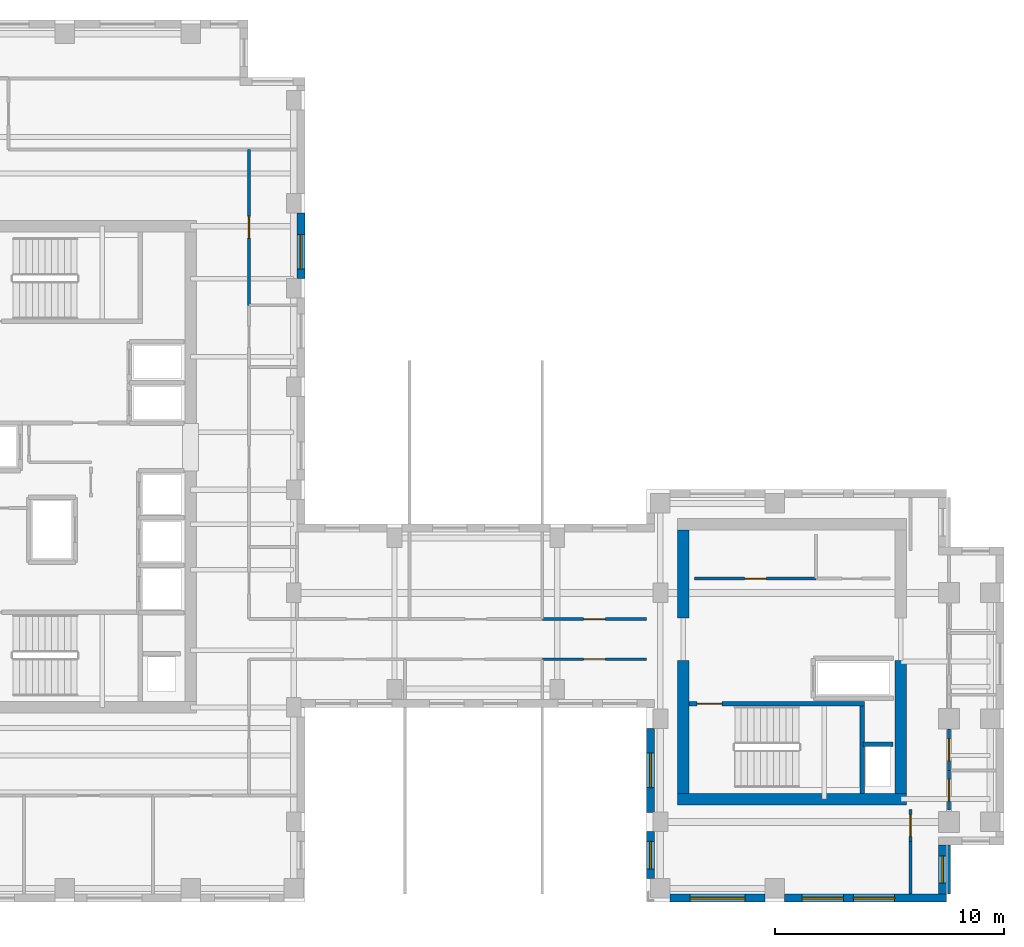
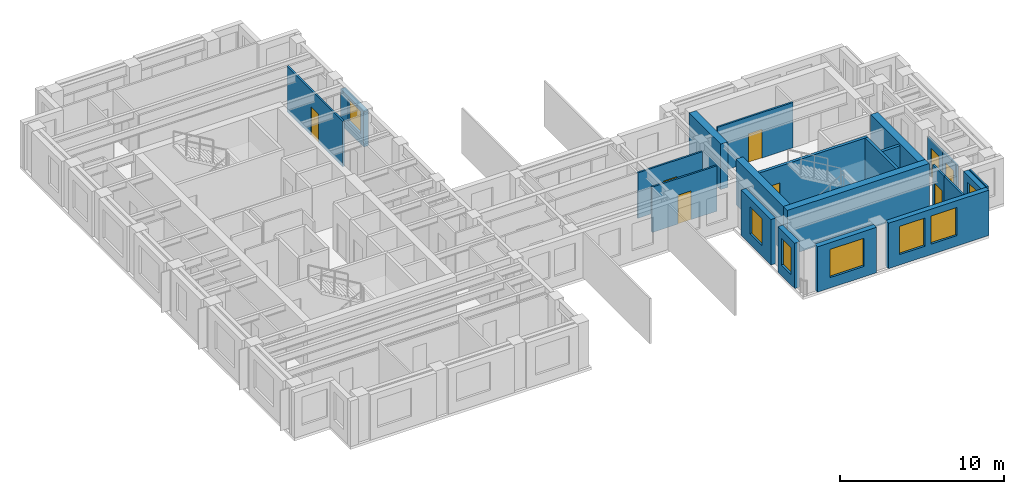
# One storey, part 6 of 10: 22 walls, 8 doors, 7 windows, 15 openings.
"""IFC4 building model written with IfcOpenShell, lengths in metres."""

from ifc_helpers import new_model, si_unit, direction, frame, frame_2d, origin, place, context, subcontext, project, spatial, rectangle, extrude, source, transform, mapped, material, layer, layer_set, type_object, element, fill, save


model = new_model("IFC4")

# Units and contexts
model_context = context("Model", 3, precision=1e-05, world=origin(), true_north=direction((0.0, 1.0)))
body_context = subcontext(model_context, "Body", "Model", "MODEL_VIEW")
ifc_project = project(units=[si_unit("LENGTHUNIT", "METRE"), si_unit("AREAUNIT", "SQUARE_METRE"), si_unit("VOLUMEUNIT", "CUBIC_METRE"), si_unit("PLANEANGLEUNIT", "RADIAN"), si_unit("MASSUNIT", "GRAM", prefix="KILO")], contexts=[model_context])

# Site, building, storey
site_placement = place(None, origin())
site = spatial("IfcSite", under=ifc_project, at=site_placement, CompositionType="ELEMENT")
building_placement = place(site_placement, origin())
building = spatial("IfcBuilding", under=site, at=building_placement, Name="Kharzan Plaza Tower", CompositionType="ELEMENT")
storey_placement = place(building_placement, frame((0.0, 0.0, 230.39990234375)))
storey = spatial("IfcBuildingStorey", under=building, at=storey_placement, Name="L62", CompositionType="ELEMENT", Elevation=230.39990234375)

# Wall, opening, window
ifc_material_1 = material(Name="Concrete C40/50", Category="concrete")
ifc_layer_1 = layer(ifc_material_1, 0.35009765625)
ifc_layer_set_1 = layer_set([ifc_layer_1], Name="Concrete C40/50")
wall_type_1 = type_object("IfcWallType", Name="WL-EXT-MAS-Z4", PredefinedType="SOLIDWALL", material=ifc_layer_set_1)
wall_1_placement = place(storey_placement, frame((19.324951171875, 27.222900390625, 0.0), z_axis=(0.0, 0.0, 1.0), x_axis=(0.0, 1.0, 0.0)))
wall_1 = element("IfcWall", 1, at=wall_1_placement, inside=storey, type_object=wall_type_1, Name="L62 Masonry-Frame Exterior Wall 04", PredefinedType="SOLIDWALL", context=body_context, shape_type="SweptSolid", body=[
    extrude(rectangle(XDim=2.85400390625, YDim=0.35009765625, at=frame_2d((1.427001953125, 0.0))), origin(), (0.0, 0.0, 1.0), 2.619140625),
])
opening_1_placement = place(wall_1_placement, frame((0.411376953125, 0.0, 0.780029296875)))
opening_1 = element("IfcOpeningElement", 2, at=opening_1_placement, cuts=wall_1, Name="Opening W5", PredefinedType="OPENING", context=body_context, shape_type="SweptSolid", body=[
    extrude(rectangle(XDim=1.5, YDim=1.658935546875, at=frame_2d((0.75, 0.82958984375))), frame((0.0, 0.18505859375, 0.0), z_axis=(0.0, -1.0, 0.0), x_axis=(1.0, 0.0, 0.0)), (0.0, 0.0, 1.0), 0.3701171875),
])
ifc_material_2 = material(Name="Low-E Double Glazing", Category="glass")
window_type_1 = type_object("IfcWindowType", Name="WN-SLT-1500x2000", PartitioningType="SINGLE_PANEL", PredefinedType="WINDOW", material=ifc_material_2)
shared_shape_1 = source(origin(), body_context, "Body", "SweptSolid", [
    extrude(rectangle(XDim=1.5, YDim=1.658935546875, at=frame_2d((0.75, 0.82958984375))), frame((0.0, 0.030029296875, 0.0), z_axis=(0.0, -1.0, 0.0), x_axis=(1.0, 0.0, 0.0)), (0.0, 0.0, 1.0), 0.06005859375),
])
window_1_placement = place(opening_1_placement, origin())
window_1 = element("IfcWindow", 3, at=window_1_placement, inside=storey, type_object=window_type_1, Name="L62 Recessed Solar-Control Window 04-1", OverallHeight=1.658935546875, OverallWidth=1.5, PartitioningType="SINGLE_PANEL", PredefinedType="WINDOW", context=body_context, shape_type="MappedRepresentation", body=[
    mapped(shared_shape_1, transform((0.0, 0.0, 0.0), x_axis=(1.0, 0.0, 0.0), y_axis=(0.0, 1.0, 0.0), z_axis=(0.0, 0.0, 1.0))),
])
fill(opening_1, window_1)

wall_2_placement = place(storey_placement, frame((34.574951171875, 7.576904296875, 0.0), z_axis=(0.0, 0.0, 1.0), x_axis=(0.0, -1.0, 0.0)))
wall_2 = element("IfcWall", 4, at=wall_2_placement, inside=storey, type_object=wall_type_1, Name="L62 Masonry-Frame Exterior Wall 33", PredefinedType="SOLIDWALL", context=body_context, shape_type="SweptSolid", body=[
    extrude(rectangle(XDim=3.65380859375, YDim=0.35009765625, at=frame_2d((1.826904296875, 0.0))), origin(), (0.0, 0.0, 1.0), 3.385009765625),
])
opening_2_placement = place(wall_2_placement, frame((1.076904296875, 0.0, 0.780029296875)))
opening_2 = element("IfcOpeningElement", 5, at=opening_2_placement, cuts=wall_2, Name="Opening W5", PredefinedType="OPENING", context=body_context, shape_type="SweptSolid", body=[
    extrude(rectangle(XDim=1.5, YDim=2.0, at=frame_2d((0.75, 1.0))), frame((0.0, 0.18505859375, 0.0), z_axis=(0.0, -1.0, 0.0), x_axis=(1.0, 0.0, 0.0)), (0.0, 0.0, 1.0), 0.3701171875),
])
shared_shape_2 = source(origin(), body_context, "Body", "SweptSolid", [
    extrude(rectangle(XDim=1.5, YDim=2.0, at=frame_2d((0.75, 1.0))), frame((0.0, 0.030029296875, 0.0), z_axis=(0.0, -1.0, 0.0), x_axis=(1.0, 0.0, 0.0)), (0.0, 0.0, 1.0), 0.06005859375),
])
window_2_placement = place(opening_2_placement, origin())
window_2 = element("IfcWindow", 6, at=window_2_placement, inside=storey, type_object=window_type_1, Name="L62 Recessed Solar-Control Window 33-1", OverallHeight=2.0, OverallWidth=1.5, PartitioningType="SINGLE_PANEL", PredefinedType="WINDOW", context=body_context, shape_type="MappedRepresentation", body=[
    mapped(shared_shape_2, transform((0.0, 0.0, 0.0), x_axis=(1.0, 0.0, 0.0), y_axis=(0.0, 1.0, 0.0), z_axis=(0.0, 0.0, 1.0))),
])
fill(opening_2, window_2)

wall_3_placement = place(storey_placement, frame((34.574951171875, 3.076904296875, 0.0), z_axis=(0.0, 0.0, 1.0), x_axis=(0.0, -1.0, 0.0)))
wall_3 = element("IfcWall", 7, at=wall_3_placement, inside=storey, type_object=wall_type_1, Name="L62 Masonry-Frame Exterior Wall 34", PredefinedType="SOLIDWALL", context=body_context, shape_type="SweptSolid", body=[
    extrude(rectangle(XDim=2.053955078125, YDim=0.35009765625, at=frame_2d((1.02685546875, 0.0))), origin(), (0.0, 0.0, 1.0), 3.385009765625),
])
opening_3_placement = place(wall_3_placement, frame((0.427001953125, 0.0, 0.780029296875)))
opening_3 = element("IfcOpeningElement", 8, at=opening_3_placement, cuts=wall_3, Name="Opening W3", PredefinedType="OPENING", context=body_context, shape_type="SweptSolid", body=[
    extrude(rectangle(XDim=1.199951171875, YDim=2.0, at=frame_2d((0.60009765625, 1.0))), frame((0.0, 0.18505859375, 0.0), z_axis=(0.0, -1.0, 0.0), x_axis=(1.0, 0.0, 0.0)), (0.0, 0.0, 1.0), 0.3701171875),
])
window_type_2 = type_object("IfcWindowType", Name="WN-REC-1200x2100", PartitioningType="SINGLE_PANEL", PredefinedType="WINDOW", material=ifc_material_2)
shared_shape_3 = source(origin(), body_context, "Body", "SweptSolid", [
    extrude(rectangle(XDim=1.199951171875, YDim=2.0, at=frame_2d((0.60009765625, 1.0))), frame((0.0, 0.030029296875, 0.0), z_axis=(0.0, -1.0, 0.0), x_axis=(1.0, 0.0, 0.0)), (0.0, 0.0, 1.0), 0.06005859375),
])
window_3_placement = place(opening_3_placement, origin())
window_3 = element("IfcWindow", 9, at=window_3_placement, inside=storey, type_object=window_type_2, Name="L62 Recessed Solar-Control Window 34-1", OverallHeight=2.0, OverallWidth=1.199951171875, PartitioningType="SINGLE_PANEL", PredefinedType="WINDOW", context=body_context, shape_type="MappedRepresentation", body=[
    mapped(shared_shape_3, transform((0.0, 0.0, 0.0), x_axis=(1.0, 0.0, 0.0), y_axis=(0.0, 1.0, 0.0), z_axis=(0.0, 0.0, 1.0))),
])
fill(opening_3, window_3)

wall_4_placement = place(storey_placement, frame((35.423095703125, 0.175048828125, 0.0), z_axis=(0.0, 0.0, 1.0), x_axis=(1.0, 0.0, 0.0)))
wall_4 = element("IfcWall", 10, at=wall_4_placement, inside=storey, type_object=wall_type_1, Name="L62 Masonry-Frame Exterior Wall 35", PredefinedType="SOLIDWALL", context=body_context, shape_type="SweptSolid", body=[
    extrude(rectangle(XDim=4.15380859375, YDim=0.35009765625, at=frame_2d((2.076904296875, 0.0))), origin(), (0.0, 0.0, 1.0), 3.385009765625),
])
opening_4_placement = place(wall_4_placement, frame((0.876953125, 0.0, 0.780029296875)))
opening_4 = element("IfcOpeningElement", 11, at=opening_4_placement, cuts=wall_4, Name="Opening W2", PredefinedType="OPENING", context=body_context, shape_type="SweptSolid", body=[
    extrude(rectangle(XDim=2.39990234375, YDim=2.10009765625, at=frame_2d((1.199951171875, 1.050048828125))), frame((0.0, 0.18505859375, 0.0), z_axis=(0.0, -1.0, 0.0), x_axis=(1.0, 0.0, 0.0)), (0.0, 0.0, 1.0), 0.3701171875),
])
window_type_3 = type_object("IfcWindowType", Name="WN-REC-2400x2100", PartitioningType="SINGLE_PANEL", PredefinedType="WINDOW", material=ifc_material_2)
shared_shape_4 = source(origin(), body_context, "Body", "SweptSolid", [
    extrude(rectangle(XDim=2.39990234375, YDim=2.10009765625, at=frame_2d((1.199951171875, 1.050048828125))), frame((0.0, 0.030029296875, 0.0), z_axis=(0.0, -1.0, 0.0), x_axis=(1.0, 0.0, 0.0)), (0.0, 0.0, 1.0), 0.06005859375),
])
window_4_placement = place(opening_4_placement, origin())
window_4 = element("IfcWindow", 12, at=window_4_placement, inside=storey, type_object=window_type_3, Name="L62 Wide Recessed Solar-Control Window 35-1", OverallHeight=2.10009765625, OverallWidth=2.39990234375, PartitioningType="SINGLE_PANEL", PredefinedType="WINDOW", context=body_context, shape_type="MappedRepresentation", body=[
    mapped(shared_shape_4, transform((0.0, 0.0, 0.0), x_axis=(1.0, 0.0, 0.0), y_axis=(0.0, 1.0, 0.0), z_axis=(0.0, 0.0, 1.0))),
])
fill(opening_4, window_4)

# Wall, openings, windows
wall_5_placement = place(storey_placement, frame((40.423095703125, 0.175048828125, 0.0), z_axis=(0.0, 0.0, 1.0), x_axis=(1.0, 0.0, 0.0)))
wall_5 = element("IfcWall", 13, at=wall_5_placement, inside=storey, type_object=wall_type_1, Name="L62 Masonry-Frame Exterior Wall 36", PredefinedType="SOLIDWALL", context=body_context, shape_type="SweptSolid", body=[
    extrude(rectangle(XDim=7.076904296875, YDim=0.35009765625, at=frame_2d((3.53857421875, 0.0))), origin(), (0.0, 0.0, 1.0), 3.385009765625),
])
opening_5_placement = place(wall_5_placement, frame((0.76220703125, 0.0, 0.780029296875)))
opening_5 = element("IfcOpeningElement", 14, at=opening_5_placement, cuts=wall_5, Name="Opening W1", PredefinedType="OPENING", context=body_context, shape_type="SweptSolid", body=[
    extrude(rectangle(XDim=1.800048828125, YDim=2.10009765625, at=frame_2d((0.89990234375, 1.050048828125))), frame((0.0, 0.18505859375, 0.0), z_axis=(0.0, -1.0, 0.0), x_axis=(1.0, 0.0, 0.0)), (0.0, 0.0, 1.0), 0.3701171875),
])
opening_6_placement = place(wall_5_placement, frame((3.004638671875, 0.0, 0.780029296875)))
opening_6 = element("IfcOpeningElement", 15, at=opening_6_placement, cuts=wall_5, Name="Opening W1", PredefinedType="OPENING", context=body_context, shape_type="SweptSolid", body=[
    extrude(rectangle(XDim=1.800048828125, YDim=2.10009765625, at=frame_2d((0.89990234375, 1.050048828125))), frame((0.0, 0.18505859375, 0.0), z_axis=(0.0, -1.0, 0.0), x_axis=(1.0, 0.0, 0.0)), (0.0, 0.0, 1.0), 0.3701171875),
])
window_type_4 = type_object("IfcWindowType", Name="WN-REC-1800x2100", PartitioningType="SINGLE_PANEL", PredefinedType="WINDOW", material=ifc_material_2)
shared_shape_5 = source(origin(), body_context, "Body", "SweptSolid", [
    extrude(rectangle(XDim=1.800048828125, YDim=2.10009765625, at=frame_2d((0.89990234375, 1.050048828125))), frame((0.0, 0.030029296875, 0.0), z_axis=(0.0, -1.0, 0.0), x_axis=(1.0, 0.0, 0.0)), (0.0, 0.0, 1.0), 0.06005859375),
])
window_5_placement = place(opening_5_placement, origin())
window_5 = element("IfcWindow", 16, at=window_5_placement, inside=storey, type_object=window_type_4, Name="L62 Recessed Solar-Control Window 36-1", OverallHeight=2.10009765625, OverallWidth=1.800048828125, PartitioningType="SINGLE_PANEL", PredefinedType="WINDOW", context=body_context, shape_type="MappedRepresentation", body=[
    mapped(shared_shape_5, transform((0.0, 0.0, 0.0), x_axis=(1.0, 0.0, 0.0), y_axis=(0.0, 1.0, 0.0), z_axis=(0.0, 0.0, 1.0))),
])
fill(opening_5, window_5)
window_6_placement = place(opening_6_placement, origin())
window_6 = element("IfcWindow", 17, at=window_6_placement, inside=storey, type_object=window_type_4, Name="L62 Recessed Solar-Control Window 36-2", OverallHeight=2.10009765625, OverallWidth=1.800048828125, PartitioningType="SINGLE_PANEL", PredefinedType="WINDOW", context=body_context, shape_type="MappedRepresentation", body=[
    mapped(shared_shape_5, transform((0.0, 0.0, 0.0), x_axis=(1.0, 0.0, 0.0), y_axis=(0.0, 1.0, 0.0), z_axis=(0.0, 0.0, 1.0))),
])
fill(opening_6, window_6)

# Wall, opening, window
wall_6_placement = place(storey_placement, frame((47.324951171875, 0.347900390625, 0.0), z_axis=(0.0, 0.0, 1.0), x_axis=(0.0, 1.0, 0.0)))
wall_6 = element("IfcWall", 18, at=wall_6_placement, inside=storey, type_object=wall_type_1, Name="L62 Masonry-Frame Exterior Wall 37", PredefinedType="SOLIDWALL", context=body_context, shape_type="SweptSolid", body=[
    extrude(rectangle(XDim=2.154052734375, YDim=0.35009765625, at=frame_2d((1.0771484375, 0.0))), origin(), (0.0, 0.0, 1.0), 3.385009765625),
])
opening_7_placement = place(wall_6_placement, frame((0.47705078125, 0.0, 0.780029296875)))
opening_7 = element("IfcOpeningElement", 19, at=opening_7_placement, cuts=wall_6, Name="Opening W3", PredefinedType="OPENING", context=body_context, shape_type="SweptSolid", body=[
    extrude(rectangle(XDim=1.199951171875, YDim=2.10009765625, at=frame_2d((0.60009765625, 1.050048828125))), frame((0.0, 0.18505859375, 0.0), z_axis=(0.0, -1.0, 0.0), x_axis=(1.0, 0.0, 0.0)), (0.0, 0.0, 1.0), 0.3701171875),
])
shared_shape_6 = source(origin(), body_context, "Body", "SweptSolid", [
    extrude(rectangle(XDim=1.199951171875, YDim=2.10009765625, at=frame_2d((0.60009765625, 1.050048828125))), frame((0.0, 0.030029296875, 0.0), z_axis=(0.0, -1.0, 0.0), x_axis=(1.0, 0.0, 0.0)), (0.0, 0.0, 1.0), 0.06005859375),
])
window_7_placement = place(opening_7_placement, origin())
window_7 = element("IfcWindow", 20, at=window_7_placement, inside=storey, type_object=window_type_2, Name="L62 Recessed Solar-Control Window 37-1", OverallHeight=2.10009765625, OverallWidth=1.199951171875, PartitioningType="SINGLE_PANEL", PredefinedType="WINDOW", context=body_context, shape_type="MappedRepresentation", body=[
    mapped(shared_shape_6, transform((0.0, 0.0, 0.0), x_axis=(1.0, 0.0, 0.0), y_axis=(0.0, 1.0, 0.0), z_axis=(0.0, 0.0, 1.0))),
])
fill(opening_7, window_7)

# Wall, opening, door
ifc_material_3 = material(Name="Fire-Rated Gypsum Board Partition", Category="gypsum")
ifc_layer_2 = layer(ifc_material_3, 0.125)
ifc_layer_set_2 = layer_set([ifc_layer_2], Name="Fire-Rated Gypsum Board Partition")
wall_type_2 = type_object("IfcWallType", Name="WL-INT-PART-125", PredefinedType="PARTITIONING", material=ifc_layer_set_2)
wall_7_placement = place(storey_placement, frame((36.5, 14.1201171875, 0.0), z_axis=(0.0, 0.0, 1.0), x_axis=(1.0, 0.0, 0.0)))
wall_7 = element("IfcWall", 21, at=wall_7_placement, inside=storey, type_object=wall_type_2, Name="L62 Interior Partition CB-RBLSA", PredefinedType="PARTITIONING", context=body_context, shape_type="SweptSolid", body=[
    extrude(rectangle(XDim=5.300048828125, YDim=0.125, at=frame_2d((2.64990234375, 0.0))), origin(), (0.0, 0.0, 1.0), 3.385009765625),
])
opening_8_placement = place(wall_7_placement, frame((2.175048828125, 0.0, 0.0)))
opening_8 = element("IfcOpeningElement", 22, at=opening_8_placement, cuts=wall_7, Name="Opening OD1", PredefinedType="OPENING", context=body_context, shape_type="SweptSolid", body=[
    extrude(rectangle(XDim=0.949951171875, YDim=2.14990234375, at=frame_2d((0.47509765625, 1.074951171875))), frame((0.0, 0.072509765625, 0.0), z_axis=(0.0, -1.0, 0.0), x_axis=(1.0, 0.0, 0.0)), (0.0, 0.0, 1.0), 0.14501953125),
])
ifc_material_4 = material(Name="Acoustic Solid-Core Stained Oak", Category="timber")
door_type_1 = type_object("IfcDoorType", Name="DR-OFF-SINGLE", OperationType="NOTDEFINED", PredefinedType="DOOR", material=ifc_material_4)
shared_shape_7 = source(origin(), body_context, "Body", "SweptSolid", [
    extrude(rectangle(XDim=0.949951171875, YDim=2.14990234375, at=frame_2d((0.47509765625, 1.074951171875))), frame((0.0, 0.02490234375, 0.0), z_axis=(0.0, -1.0, 0.0), x_axis=(1.0, 0.0, 0.0)), (0.0, 0.0, 1.0), 0.050048828125),
])
door_1_placement = place(opening_8_placement, origin())
door_1 = element("IfcDoor", 23, at=door_1_placement, inside=storey, type_object=door_type_1, Name="L62 Records Room Door", OperationType="SINGLE_SWING_RIGHT", OverallHeight=2.14990234375, OverallWidth=0.949951171875, PredefinedType="DOOR", context=body_context, shape_type="MappedRepresentation", body=[
    mapped(shared_shape_7, transform((0.0, 0.0, 0.0), x_axis=(1.0, 0.0, 0.0), y_axis=(0.0, 1.0, 0.0), z_axis=(0.0, 0.0, 1.0))),
])
fill(opening_8, door_1)

wall_8_placement = place(storey_placement, frame((17.050048828125, 26.050048828125, 0.0), z_axis=(0.0, 0.0, 1.0), x_axis=(0.0, 1.0, 0.0)))
wall_8 = element("IfcWall", 24, at=wall_8_placement, inside=storey, type_object=wall_type_2, Name="L62 Interior Partition SH-AEWN3", PredefinedType="PARTITIONING", context=body_context, shape_type="SweptSolid", body=[
    extrude(rectangle(XDim=6.800048828125, YDim=0.125, at=frame_2d((3.39990234375, 0.0))), origin(), (0.0, 0.0, 1.0), 3.385009765625),
])
opening_9_placement = place(wall_8_placement, frame((2.925048828125, 0.0, 0.0)))
opening_9 = element("IfcOpeningElement", 25, at=opening_9_placement, cuts=wall_8, Name="Opening OD1", PredefinedType="OPENING", context=body_context, shape_type="SweptSolid", body=[
    extrude(rectangle(XDim=0.949951171875, YDim=2.14990234375, at=frame_2d((0.47509765625, 1.074951171875))), frame((0.0, 0.072509765625, 0.0), z_axis=(0.0, -1.0, 0.0), x_axis=(1.0, 0.0, 0.0)), (0.0, 0.0, 1.0), 0.14501953125),
])
door_2_placement = place(opening_9_placement, origin())
door_2 = element("IfcDoor", 26, at=door_2_placement, inside=storey, type_object=door_type_1, Name="L62 Staff Tea Point Door", OperationType="SINGLE_SWING_RIGHT", OverallHeight=2.14990234375, OverallWidth=0.949951171875, PredefinedType="DOOR", context=body_context, shape_type="MappedRepresentation", body=[
    mapped(shared_shape_7, transform((0.0, 0.0, 0.0), x_axis=(1.0, 0.0, 0.0), y_axis=(0.0, 1.0, 0.0), z_axis=(0.0, 0.0, 1.0))),
])
fill(opening_9, door_2)

wall_9_placement = place(storey_placement, frame((47.60009765625, 4.02001953125, 0.0), z_axis=(0.0, 0.0, 1.0), x_axis=(0.0, 1.0, 0.0)))
wall_9 = element("IfcWall", 27, at=wall_9_placement, inside=storey, type_object=wall_type_2, Name="L62 Interior Partition SH-B3W0", PredefinedType="PARTITIONING", context=body_context, shape_type="SweptSolid", body=[
    extrude(rectangle(XDim=1.72998046875, YDim=0.125, at=frame_2d((0.864990234375, 0.0))), origin(), (0.0, 0.0, 1.0), 2.773193359375),
])
opening_10_placement = place(wall_9_placement, frame((0.389892578125, 0.0, 0.0)))
opening_10 = element("IfcOpeningElement", 28, at=opening_10_placement, cuts=wall_9, Name="Opening OD1", PredefinedType="OPENING", context=body_context, shape_type="SweptSolid", body=[
    extrude(rectangle(XDim=0.949951171875, YDim=2.14990234375, at=frame_2d((0.47509765625, 1.074951171875))), frame((0.0, 0.072509765625, 0.0), z_axis=(0.0, -1.0, 0.0), x_axis=(1.0, 0.0, 0.0)), (0.0, 0.0, 1.0), 0.14501953125),
])
door_3_placement = place(opening_10_placement, origin())
door_3 = element("IfcDoor", 29, at=door_3_placement, inside=storey, type_object=door_type_1, Name="L62 Wing B Office 1 Door", OperationType="SINGLE_SWING_RIGHT", OverallHeight=2.14990234375, OverallWidth=0.949951171875, PredefinedType="DOOR", context=body_context, shape_type="MappedRepresentation", body=[
    mapped(shared_shape_7, transform((0.0, 0.0, 0.0), x_axis=(1.0, 0.0, 0.0), y_axis=(0.0, 1.0, 0.0), z_axis=(0.0, 0.0, 1.0))),
])
fill(opening_10, door_3)

wall_10_placement = place(storey_placement, frame((47.60009765625, 5.75, 0.0), z_axis=(0.0, 0.0, 1.0), x_axis=(0.0, 1.0, 0.0)))
wall_10 = element("IfcWall", 30, at=wall_10_placement, inside=storey, type_object=wall_type_2, Name="L62 Interior Partition SH-B3W1-S1", PredefinedType="PARTITIONING", context=body_context, shape_type="SweptSolid", body=[
    extrude(rectangle(XDim=1.800048828125, YDim=0.125, at=frame_2d((0.89990234375, 0.0))), origin(), (0.0, 0.0, 1.0), 2.773193359375),
])
opening_11_placement = place(wall_10_placement, frame((0.425048828125, 0.0, 0.0)))
opening_11 = element("IfcOpeningElement", 31, at=opening_11_placement, cuts=wall_10, Name="Opening OD1", PredefinedType="OPENING", context=body_context, shape_type="SweptSolid", body=[
    extrude(rectangle(XDim=0.949951171875, YDim=2.14990234375, at=frame_2d((0.47509765625, 1.074951171875))), frame((0.0, 0.072509765625, 0.0), z_axis=(0.0, -1.0, 0.0), x_axis=(1.0, 0.0, 0.0)), (0.0, 0.0, 1.0), 0.14501953125),
])
door_4_placement = place(opening_11_placement, origin())
door_4 = element("IfcDoor", 32, at=door_4_placement, inside=storey, type_object=door_type_1, Name="L62 Wing B Office 2 Door", OperationType="SINGLE_SWING_LEFT", OverallHeight=2.14990234375, OverallWidth=0.949951171875, PredefinedType="DOOR", context=body_context, shape_type="MappedRepresentation", body=[
    mapped(shared_shape_7, transform((0.0, 0.0, 0.0), x_axis=(1.0, 0.0, 0.0), y_axis=(0.0, 1.0, 0.0), z_axis=(0.0, 0.0, 1.0))),
])
fill(opening_11, door_4)

wall_11_placement = place(storey_placement, frame((45.919921875, 2.64990234375, 0.0), z_axis=(0.0, 0.0, 1.0), x_axis=(0.0, 1.0, 0.0)))
wall_11 = element("IfcWall", 33, at=wall_11_placement, inside=storey, type_object=wall_type_2, Name="L62 Interior Partition SH-RBSE", PredefinedType="PARTITIONING", context=body_context, shape_type="SweptSolid", body=[
    extrude(rectangle(XDim=1.400146484375, YDim=0.125, at=frame_2d((0.7001953125, 0.0))), origin(), (0.0, 0.0, 1.0), 3.385009765625),
])
opening_12_placement = place(wall_11_placement, frame((0.22509765625, 0.0, 0.0)))
opening_12 = element("IfcOpeningElement", 34, at=opening_12_placement, cuts=wall_11, Name="Opening OD1", PredefinedType="OPENING", context=body_context, shape_type="SweptSolid", body=[
    extrude(rectangle(XDim=0.949951171875, YDim=2.14990234375, at=frame_2d((0.47509765625, 1.074951171875))), frame((0.0, 0.072509765625, 0.0), z_axis=(0.0, -1.0, 0.0), x_axis=(1.0, 0.0, 0.0)), (0.0, 0.0, 1.0), 0.14501953125),
])
door_5_placement = place(opening_12_placement, origin())
door_5 = element("IfcDoor", 35, at=door_5_placement, inside=storey, type_object=door_type_1, Name="L62 South-East Corner Office Door", OperationType="SINGLE_SWING_LEFT", OverallHeight=2.14990234375, OverallWidth=0.949951171875, PredefinedType="DOOR", context=body_context, shape_type="MappedRepresentation", body=[
    mapped(shared_shape_7, transform((0.0, 0.0, 0.0), x_axis=(1.0, 0.0, 0.0), y_axis=(0.0, 1.0, 0.0), z_axis=(0.0, 0.0, 1.0))),
])
fill(opening_12, door_5)

wall_12_placement = place(storey_placement, frame((29.85009765625, 12.35009765625, 0.0), z_axis=(0.0, 0.0, 1.0), x_axis=(1.0, 0.0, 0.0)))
wall_12 = element("IfcWall", 36, at=wall_12_placement, inside=storey, type_object=wall_type_2, Name="L62 Interior Partition SH-SPNE1", PredefinedType="PARTITIONING", context=body_context, shape_type="SweptSolid", body=[
    extrude(rectangle(XDim=4.5498046875, YDim=0.125, at=frame_2d((2.27490234375, 0.0))), origin(), (0.0, 0.0, 1.0), 3.385009765625),
])
opening_13_placement = place(wall_12_placement, frame((1.800048828125, 0.0, 0.0)))
opening_13 = element("IfcOpeningElement", 37, at=opening_13_placement, cuts=wall_12, Name="Opening OD1", PredefinedType="OPENING", context=body_context, shape_type="SweptSolid", body=[
    extrude(rectangle(XDim=0.949951171875, YDim=2.14990234375, at=frame_2d((0.47509765625, 1.074951171875))), frame((0.0, 0.072509765625, 0.0), z_axis=(0.0, -1.0, 0.0), x_axis=(1.0, 0.0, 0.0)), (0.0, 0.0, 1.0), 0.14501953125),
])
door_6_placement = place(opening_13_placement, origin())
door_6 = element("IfcDoor", 38, at=door_6_placement, inside=storey, type_object=door_type_1, Name="L62 North-East Spine Door", OperationType="SINGLE_SWING_LEFT", OverallHeight=2.14990234375, OverallWidth=0.949951171875, PredefinedType="DOOR", context=body_context, shape_type="MappedRepresentation", body=[
    mapped(shared_shape_7, transform((0.0, 0.0, 0.0), x_axis=(1.0, 0.0, 0.0), y_axis=(0.0, 1.0, 0.0), z_axis=(0.0, 0.0, 1.0))),
])
fill(opening_13, door_6)

wall_13_placement = place(storey_placement, frame((29.85009765625, 10.60009765625, 0.0), z_axis=(0.0, 0.0, 1.0), x_axis=(1.0, 0.0, 0.0)))
wall_13 = element("IfcWall", 39, at=wall_13_placement, inside=storey, type_object=wall_type_2, Name="L62 Interior Partition SH-SPS3", PredefinedType="PARTITIONING", context=body_context, shape_type="SweptSolid", body=[
    extrude(rectangle(XDim=4.5498046875, YDim=0.125, at=frame_2d((2.27490234375, 0.0))), origin(), (0.0, 0.0, 1.0), 3.385009765625),
])
opening_14_placement = place(wall_13_placement, frame((1.800048828125, 0.0, 0.0)))
opening_14 = element("IfcOpeningElement", 40, at=opening_14_placement, cuts=wall_13, Name="Opening OD1", PredefinedType="OPENING", context=body_context, shape_type="SweptSolid", body=[
    extrude(rectangle(XDim=0.949951171875, YDim=2.14990234375, at=frame_2d((0.47509765625, 1.074951171875))), frame((0.0, 0.072509765625, 0.0), z_axis=(0.0, -1.0, 0.0), x_axis=(1.0, 0.0, 0.0)), (0.0, 0.0, 1.0), 0.14501953125),
])
door_7_placement = place(opening_14_placement, origin())
door_7 = element("IfcDoor", 41, at=door_7_placement, inside=storey, type_object=door_type_1, Name="L62 Spine Studio 3 Door", OperationType="SINGLE_SWING_LEFT", OverallHeight=2.14990234375, OverallWidth=0.949951171875, PredefinedType="DOOR", context=body_context, shape_type="MappedRepresentation", body=[
    mapped(shared_shape_7, transform((0.0, 0.0, 0.0), x_axis=(1.0, 0.0, 0.0), y_axis=(0.0, 1.0, 0.0), z_axis=(0.0, 0.0, 1.0))),
])
fill(opening_14, door_7)

ifc_material_5 = material(Name="Concrete C50/60", Category="concrete")
ifc_layer_3 = layer(ifc_material_5, 0.199951171875)
ifc_layer_set_3 = layer_set([ifc_layer_3], Name="Concrete C50/60")
wall_type_3 = type_object("IfcWallType", Name="WL-SHAFT-RC200", PredefinedType="SHEAR", material=ifc_layer_set_3)
wall_14_placement = place(storey_placement, frame((36.251953125, 8.655029296875, 0.0), z_axis=(0.0, 0.0, 1.0), x_axis=(1.0, 0.0, 0.0)))
wall_14 = element("IfcWall", 42, at=wall_14_placement, inside=storey, type_object=wall_type_3, Name="L62 Stair ST-3 North RC Shaft Wall", PredefinedType="SHEAR", context=body_context, shape_type="SweptSolid", body=[
    extrude(rectangle(XDim=7.653076171875, YDim=0.199951171875, at=frame_2d((3.82666015625, 0.0))), origin(), (0.0, 0.0, 1.0), 3.400146484375),
])
opening_15_placement = place(wall_14_placement, frame((0.35009765625, 0.0, 0.0)))
opening_15 = element("IfcOpeningElement", 43, at=opening_15_placement, cuts=wall_14, Name="Opening SD1", PredefinedType="OPENING", context=body_context, shape_type="SweptSolid", body=[
    extrude(rectangle(XDim=1.10009765625, YDim=2.14990234375, at=frame_2d((0.550048828125, 1.074951171875))), frame((0.0, 0.10986328125, 0.0), z_axis=(0.0, -1.0, 0.0), x_axis=(1.0, 0.0, 0.0)), (0.0, 0.0, 1.0), 0.219970703125),
])
ifc_material_6 = material(Name="Fire-Rated Hollow Galvanized Steel", Category="steel")
door_type_2 = type_object("IfcDoorType", Name="DR-STAIR-FD120", OperationType="NOTDEFINED", PredefinedType="DOOR", material=ifc_material_6)
shared_shape_8 = source(origin(), body_context, "Body", "SweptSolid", [
    extrude(rectangle(XDim=1.10009765625, YDim=2.14990234375, at=frame_2d((0.550048828125, 1.074951171875))), frame((0.0, 0.02490234375, 0.0), z_axis=(0.0, -1.0, 0.0), x_axis=(1.0, 0.0, 0.0)), (0.0, 0.0, 1.0), 0.050048828125),
])
door_8_placement = place(opening_15_placement, origin())
door_8 = element("IfcDoor", 44, at=door_8_placement, inside=storey, type_object=door_type_2, Name="L62 Stair ST-3 Fire Exit Door", OperationType="SINGLE_SWING_LEFT", OverallHeight=2.14990234375, OverallWidth=1.10009765625, PredefinedType="DOOR", context=body_context, shape_type="MappedRepresentation", body=[
    mapped(shared_shape_8, transform((0.0, 0.0, 0.0), x_axis=(1.0, 0.0, 0.0), y_axis=(0.0, 1.0, 0.0), z_axis=(0.0, 0.0, 1.0))),
])
fill(opening_15, door_8)

# Walls
shared_shape_9 = source(origin(), body_context, "Body", "SweptSolid", [
    extrude(rectangle(XDim=2.2978515625, YDim=0.125, at=frame_2d((1.14892578125, 0.0))), origin(), (0.0, 0.0, 1.0), 3.385009765625),
])
wall_15_placement = place(storey_placement, frame((45.919921875, 0.35205078125, 0.0), z_axis=(0.0, 0.0, 1.0), x_axis=(0.0, 1.0, 0.0)))
element("IfcWall", 45, at=wall_15_placement, inside=storey, type_object=wall_type_2, Name="L62 Interior Partition SH-RBSE0", PredefinedType="PARTITIONING", context=body_context, shape_type="MappedRepresentation", body=[
    mapped(shared_shape_9, transform((0.0, 0.0, 0.0), x_axis=(1.0, 0.0, 0.0), y_axis=(0.0, 1.0, 0.0), z_axis=(0.0, 0.0, 1.0))),
])
ifc_layer_4 = layer(ifc_material_1, 0.199951171875)
ifc_layer_set_4 = layer_set([ifc_layer_4], Name="Concrete C40/50")
wall_type_4 = type_object("IfcWallType", Name="WL-INT-SHAFT-200", PredefinedType="PARTITIONING", material=ifc_layer_set_4)
shared_shape_10 = source(origin(), body_context, "Body", "SweptSolid", [
    extrude(rectangle(XDim=1.2998046875, YDim=0.199951171875, at=frame_2d((0.64990234375, 0.0))), origin(), (0.0, 0.0, 1.0), 3.385009765625),
])
wall_16_placement = place(storey_placement, frame((43.85009765625, 6.89990234375, 0.0), z_axis=(0.0, 0.0, 1.0), x_axis=(1.0, 0.0, 0.0)))
element("IfcWall", 46, at=wall_16_placement, inside=storey, type_object=wall_type_4, Name="L62 Interior Partition CB-RSRB-N", PredefinedType="PARTITIONING", context=body_context, shape_type="MappedRepresentation", body=[
    mapped(shared_shape_10, transform((0.0, 0.0, 0.0), x_axis=(1.0, 0.0, 0.0), y_axis=(0.0, 1.0, 0.0), z_axis=(0.0, 0.0, 1.0))),
])
ifc_layer_5 = layer(ifc_material_5, 0.5)
ifc_layer_set_5 = layer_set([ifc_layer_5], Name="Concrete C50/60")
wall_type_5 = type_object("IfcWallType", Name="WL-CORE-500", PredefinedType="SHEAR", material=ifc_layer_set_5)
shared_shape_11 = source(origin(), body_context, "Body", "SweptSolid", [
    extrude(rectangle(XDim=5.800048828125, YDim=0.5, at=frame_2d((2.89990234375, 0.0))), origin(), (0.0, 0.0, 1.0), 3.400146484375),
])
for number, where, z_axis, x_axis, name in (
    (47, (45.5, 4.75, 0.0), (0.0, 0.0, 1.0), (0.0, 1.0, 0.0), "L62 CORE-B east shear pier 1"),
    (48, (36.0, 4.75, 0.0), (0.0, 0.0, 1.0), (0.0, 1.0, 0.0), "L62 CORE-B west shear pier 1"),
):
    element("IfcWall", number, at=place(storey_placement, frame(where, z_axis=z_axis, x_axis=x_axis)), inside=storey, type_object=wall_type_5, Name=name, PredefinedType="SHEAR", context=body_context, shape_type="MappedRepresentation", body=[
        mapped(shared_shape_11, transform((0.0, 0.0, 0.0), x_axis=(1.0, 0.0, 0.0), y_axis=(0.0, 1.0, 0.0), z_axis=(0.0, 0.0, 1.0))),
    ])
shared_shape_12 = source(origin(), body_context, "Body", "SweptSolid", [
    extrude(rectangle(XDim=3.85009765625, YDim=0.5, at=frame_2d((1.925048828125, 0.0))), origin(), (0.0, 0.0, 1.0), 3.400146484375),
])
wall_17_placement = place(storey_placement, frame((36.0, 12.39990234375, 0.0), z_axis=(0.0, 0.0, 1.0), x_axis=(0.0, 1.0, 0.0)))
element("IfcWall", 49, at=wall_17_placement, inside=storey, type_object=wall_type_5, Name="L62 CORE-B west shear pier 2", PredefinedType="SHEAR", context=body_context, shape_type="MappedRepresentation", body=[
    mapped(shared_shape_12, transform((0.0, 0.0, 0.0), x_axis=(1.0, 0.0, 0.0), y_axis=(0.0, 1.0, 0.0), z_axis=(0.0, 0.0, 1.0))),
])
shared_shape_13 = source(origin(), body_context, "Body", "SweptSolid", [
    extrude(rectangle(XDim=10.0, YDim=0.5, at=frame_2d((5.0, 0.0))), origin(), (0.0, 0.0, 1.0), 3.400146484375),
])
wall_18_placement = place(storey_placement, frame((35.75, 4.5, 0.0), z_axis=(0.0, 0.0, 1.0), x_axis=(1.0, 0.0, 0.0)))
element("IfcWall", 50, at=wall_18_placement, inside=storey, type_object=wall_type_5, Name="L62 CORE-B south RC shear wall", PredefinedType="SHEAR", context=body_context, shape_type="MappedRepresentation", body=[
    mapped(shared_shape_13, transform((0.0, 0.0, 0.0), x_axis=(1.0, 0.0, 0.0), y_axis=(0.0, 1.0, 0.0), z_axis=(0.0, 0.0, 1.0))),
])
shared_shape_14 = source(origin(), body_context, "Body", "SweptSolid", [
    extrude(rectangle(XDim=2.14794921875, YDim=0.125, at=frame_2d((1.073974609375, 0.0))), origin(), (0.0, 0.0, 1.0), 3.385009765625),
])
wall_19_placement = place(storey_placement, frame((47.60009765625, 0.35009765625, 0.0), z_axis=(0.0, 0.0, 1.0), x_axis=(0.0, 1.0, 0.0)))
element("IfcWall", 51, at=wall_19_placement, inside=storey, type_object=wall_type_2, Name="L62 Interior Partition SH-B3W0S", PredefinedType="PARTITIONING", context=body_context, shape_type="MappedRepresentation", body=[
    mapped(shared_shape_14, transform((0.0, 0.0, 0.0), x_axis=(1.0, 0.0, 0.0), y_axis=(0.0, 1.0, 0.0), z_axis=(0.0, 0.0, 1.0))),
])
shared_shape_15 = source(origin(), body_context, "Body", "SweptSolid", [
    extrude(rectangle(XDim=3.802978515625, YDim=0.199951171875, at=frame_2d((1.9013671875, 0.0))), origin(), (0.0, 0.0, 1.0), 3.400146484375),
])
wall_20_placement = place(storey_placement, frame((43.804931640625, 4.751953125, 0.0), z_axis=(0.0, 0.0, 1.0), x_axis=(0.0, 1.0, 0.0)))
element("IfcWall", 52, at=wall_20_placement, inside=storey, type_object=wall_type_3, Name="L62 Stair ST-3 East RC Shaft Wall", PredefinedType="SHEAR", context=body_context, shape_type="MappedRepresentation", body=[
    mapped(shared_shape_15, transform((0.0, 0.0, 0.0), x_axis=(1.0, 0.0, 0.0), y_axis=(0.0, 1.0, 0.0), z_axis=(0.0, 0.0, 1.0))),
])

save(model, "model.ifc")
